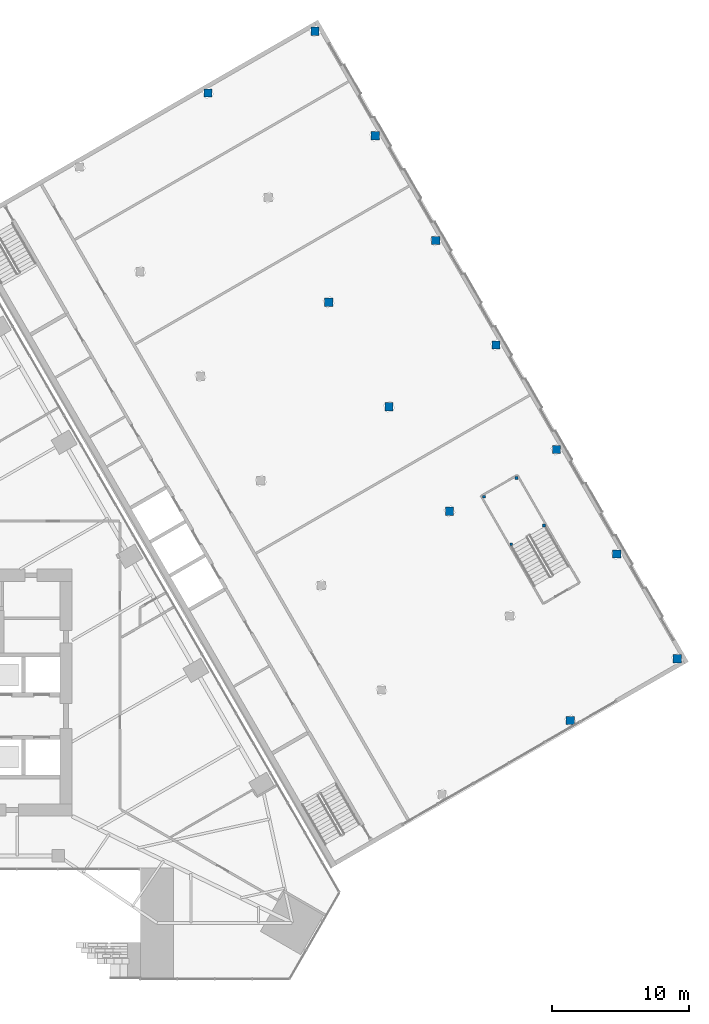
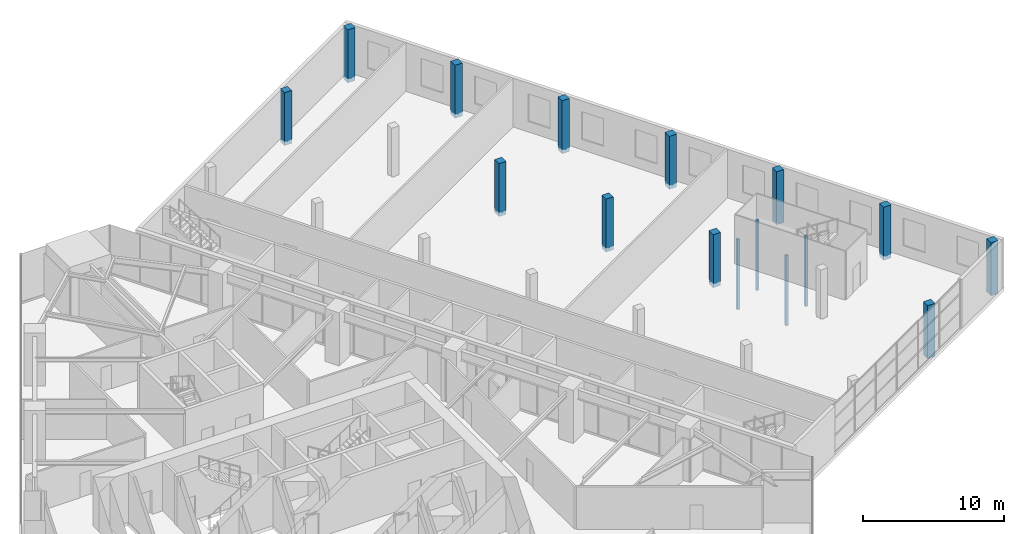
# One storey, part 2 of 29: 16 columns.
"""IFC4 building model written with IfcOpenShell, lengths in metres."""

from ifc_helpers import new_model, si_unit, direction, frame, origin, origin_2d, place, context, subcontext, project, spatial, rectangle, extrude, material, material_profile, profile_set, type_object, element, save


model = new_model("IFC4")

# Units and contexts
model_context = context("Model", 3, precision=1e-05, world=origin(), true_north=direction((0.0, 1.0)))
body_context = subcontext(model_context, "Body", "Model", "MODEL_VIEW")
ifc_project = project(units=[si_unit("LENGTHUNIT", "METRE"), si_unit("AREAUNIT", "SQUARE_METRE"), si_unit("VOLUMEUNIT", "CUBIC_METRE"), si_unit("PLANEANGLEUNIT", "RADIAN"), si_unit("MASSUNIT", "GRAM", prefix="KILO")], contexts=[model_context])

# Site, building, storey
site_placement = place(None, origin())
site = spatial("IfcSite", under=ifc_project, at=site_placement, CompositionType="ELEMENT")
building_placement = place(site_placement, origin())
building = spatial("IfcBuilding", under=site, at=building_placement, Name="Firuza Gate Tower and Library", CompositionType="ELEMENT")
storey_placement = place(building_placement, frame((0.0, 0.0, 8.0)))
storey = spatial("IfcBuildingStorey", under=building, at=storey_placement, Name="L01", CompositionType="ELEMENT", Elevation=8.0)

# Columns
ifc_material_1 = material(Name="Concrete C40/50", Category="concrete")
ifc_material_profile_1 = material_profile(ifc_material_1, rectangle(XDim=0.60009765625, YDim=0.60009765625, at=origin_2d()))
ifc_profile_set_1 = profile_set([ifc_material_profile_1], Name="Concrete C40/50")
column_type_1 = type_object("IfcColumnType", Name="LIB COLUMN 600", PredefinedType="COLUMN", material=ifc_profile_set_1)
for number, where, z_axis, x_axis, name in (
    (1, (124.2998046875, 72.979248046875, -0.360107421875), (0.0, 0.0, 1.0), (1.0, 0.0, 0.0), "Library column 1B"),
    (2, (132.09423828125, 77.479248046875, -0.360107421875), (0.0, 0.0, 1.0), (1.0, 0.0, 0.0), "Library column 1C"),
    (3, (127.694091796875, 85.100341796875, -0.360107421875), (0.0, 0.0, 1.0), (1.0, 0.0, 0.0), "Library column 2C"),
    (4, (115.5, 88.22119140625, -0.360107421875), (0.0, 0.0, 1.0), (1.0, 0.0, 0.0), "Library column 3B"),
    (5, (123.294189453125, 92.72119140625, -0.360107421875), (0.0, 0.0, 1.0), (1.0, 0.0, 0.0), "Library column 3C"),
    (6, (111.099853515625, 95.84228515625, -0.360107421875), (0.0, 0.0, 1.0), (1.0, 0.0, 0.0), "Library column 4B"),
    (7, (118.894287109375, 100.34228515625, -0.360107421875), (0.0, 0.0, 1.0), (1.0, 0.0, 0.0), "Library column 4C"),
    (8, (106.699951171875, 103.46337890625, -0.360107421875), (0.0, 0.0, 1.0), (1.0, 0.0, 0.0), "Library column 5B"),
    (9, (114.494140625, 107.96337890625, -0.360107421875), (0.0, 0.0, 1.0), (1.0, 0.0, 0.0), "Library column 5C"),
    (10, (110.09423828125, 115.58447265625, -0.360107421875), (0.0, 0.0, 1.0), (1.0, 0.0, 0.0), "Library column 6C"),
    (11, (97.89990234375, 118.705322265625, -0.360107421875), (0.0, 0.0, 1.0), (1.0, 0.0, 0.0), "Library column 7B"),
    (12, (105.694091796875, 123.205322265625, -0.360107421875), (0.0, 0.0, 1.0), (1.0, 0.0, 0.0), "Library column 7C"),
):
    element("IfcColumn", number, at=place(storey_placement, frame(where, z_axis=z_axis, x_axis=x_axis)), inside=storey, type_object=column_type_1, Name=name, PredefinedType="COLUMN", context=body_context, shape_type="SweptSolid", body=[
        extrude(rectangle(XDim=0.60009765625, YDim=0.60009765625, at=origin_2d()), origin(), (0.0, 0.0, 1.0), 4.60009765625),
    ])
ifc_material_2 = material(Name="Concrete C40/50", Category="concrete")
ifc_material_profile_2 = material_profile(ifc_material_2, rectangle(XDim=0.199951171875, YDim=0.199951171875, at=origin_2d()))
ifc_profile_set_2 = profile_set([ifc_material_profile_2], Name="Concrete C40/50")
column_type_2 = type_object("IfcColumnType", Name="LIB STAIR POST 200", PredefinedType="COLUMN", material=ifc_profile_set_2)
for number, where, z_axis, x_axis, name in (
    (13, (122.389892578125, 87.187744140625, -4.0), (0.0, 0.0, 1.0), (1.0, 0.0, 0.0), "LIB-ST-C landing post L01"),
    (14, (120.00830078125, 85.812744140625, -4.0), (0.0, 0.0, 1.0), (1.0, 0.0, 0.0), "LIB-ST-C landing post L01"),
    (15, (120.389892578125, 90.65185546875, -4.0), (0.0, 0.0, 1.0), (1.0, 0.0, 0.0), "LIB-ST-C landing post L01"),
    (16, (118.00830078125, 89.27685546875, -4.0), (0.0, 0.0, 1.0), (1.0, 0.0, 0.0), "LIB-ST-C landing post L01"),
):
    element("IfcColumn", number, at=place(storey_placement, frame(where, z_axis=z_axis, x_axis=x_axis)), inside=storey, type_object=column_type_2, Name=name, PredefinedType="COLUMN", context=body_context, shape_type="SweptSolid", body=[
        extrude(rectangle(XDim=0.199951171875, YDim=0.199951171875, at=origin_2d()), origin(), (0.0, 0.0, 1.0), 6.10009765625),
    ])

save(model, "model.ifc")
